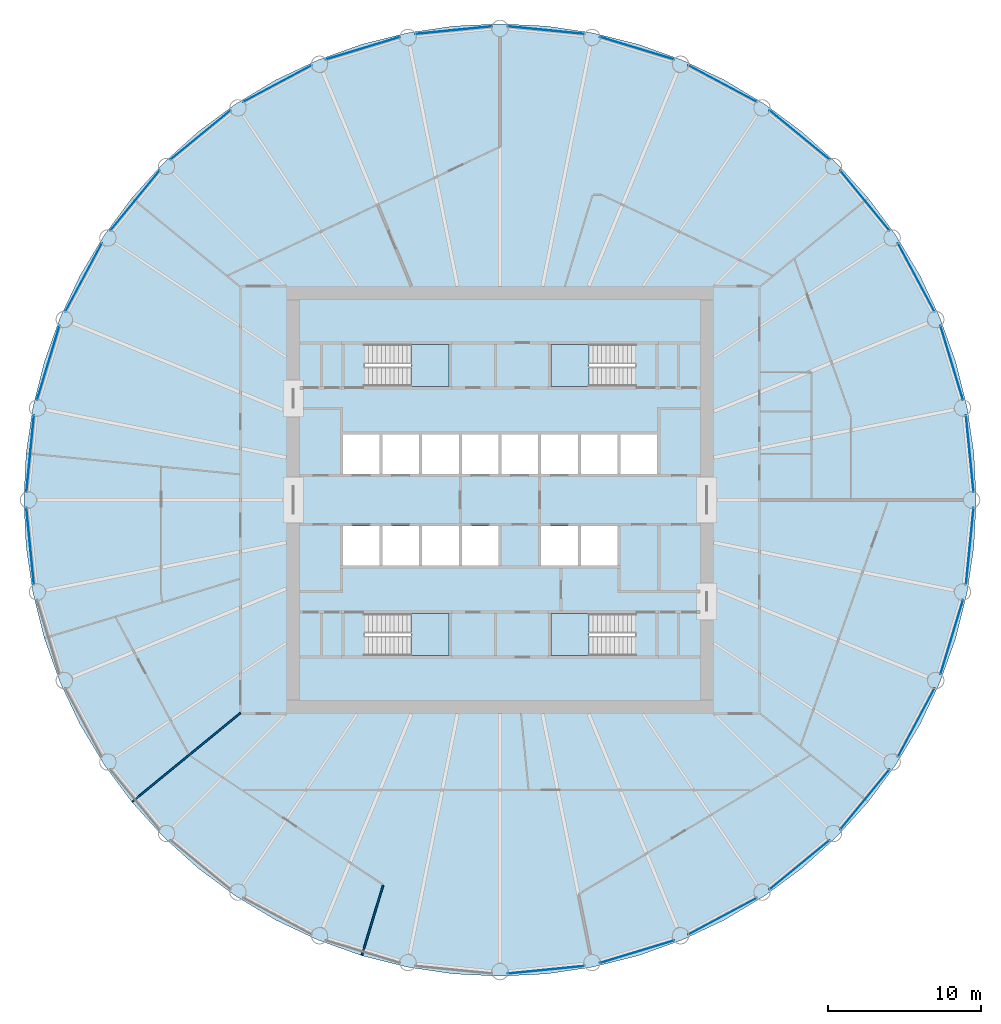
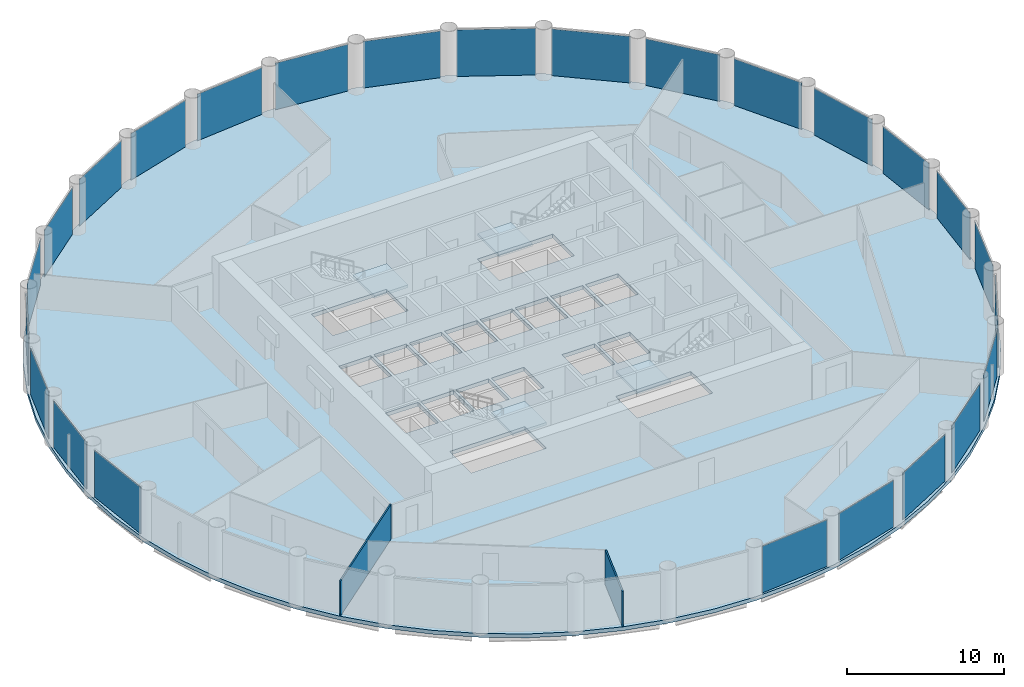
# One storey, part 3 of 8: 25 plates, 5 slabs, 2 walls, 29 elements without a shape of their own.
"""IFC4 building model written with IfcOpenShell, lengths in metres."""

from ifc_helpers import new_model, si_unit, direction, frame, frame_2d, origin, origin_2d, place, context, subcontext, project, spatial, polyline, rectangle, outline, extrude, material, layer, layer_set, type_object, element, aggregate, save


model = new_model("IFC4")

# Units and contexts
model_context = context("Model", 3, precision=1e-05, world=origin(), true_north=direction((0.0, 1.0)))
body_context = subcontext(model_context, "Body", "Model", "MODEL_VIEW")
ifc_project = project(units=[si_unit("LENGTHUNIT", "METRE"), si_unit("AREAUNIT", "SQUARE_METRE"), si_unit("VOLUMEUNIT", "CUBIC_METRE"), si_unit("PLANEANGLEUNIT", "RADIAN"), si_unit("MASSUNIT", "GRAM", prefix="KILO")], contexts=[model_context])

# Site, building, storey
site_placement = place(None, origin())
site = spatial("IfcSite", under=ifc_project, at=site_placement, CompositionType="ELEMENT")
building_placement = place(site_placement, origin())
building = spatial("IfcBuilding", under=site, at=building_placement, Name="Corvane Civic Tower", CompositionType="ELEMENT")
storey_placement = place(building_placement, frame((0.0, 0.0, 152.0)))
storey = spatial("IfcBuildingStorey", under=building, at=storey_placement, Name="L35", CompositionType="ELEMENT", Elevation=152.0)

# Slab
ifc_material_1 = material(Name="Concrete C40/50", Category="concrete")
ifc_layer_1 = layer(ifc_material_1, 0.300048828125)
ifc_layer_set_1 = layer_set([ifc_layer_1], Name="Concrete C40/50")
slab_type_1 = type_object("IfcSlabType", Name="FLOOR SLAB 300", PredefinedType="FLOOR", material=ifc_layer_set_1)
slab_1_placement = place(storey_placement, frame((0.0, 0.0, -0.300048828125)))
element("IfcSlab", 1, at=slab_1_placement, inside=storey, type_object=slab_type_1, Name="SLB-L35", PredefinedType="FLOOR", context=body_context, shape_type="SweptSolid", body=[
    extrude(outline(polyline([(0.0, 31.199951171875), (-3.05810546875, 31.0498046875), (-6.0869140625, 30.6005859375), (-9.056884765625, 29.8564453125), (-11.939697265625, 28.824951171875), (-14.70751953125, 27.515869140625), (-17.333740234375, 25.94189453125), (-19.79296875, 24.117919921875), (-22.061767578125, 22.061767578125), (-24.117919921875, 19.79296875), (-25.94189453125, 17.333740234375), (-27.515869140625, 14.70751953125), (-28.824951171875, 11.939697265625), (-29.8564453125, 9.056884765625), (-30.6005859375, 6.0869140625), (-31.0498046875, 3.05810546875), (-31.199951171875, 0.0), (-31.0498046875, -3.05810546875), (-30.6005859375, -6.0869140625), (-29.8564453125, -9.056884765625), (-28.824951171875, -11.939697265625), (-27.515869140625, -14.70751953125), (-25.94189453125, -17.333740234375), (-24.117919921875, -19.79296875), (-22.061767578125, -22.061767578125), (-19.79296875, -24.117919921875), (-17.333740234375, -25.94189453125), (-14.70751953125, -27.515869140625), (-11.939697265625, -28.824951171875), (-9.056884765625, -29.8564453125), (-6.0869140625, -30.6005859375), (-3.05810546875, -31.0498046875), (0.0, -31.199951171875), (3.05810546875, -31.0498046875), (6.0869140625, -30.6005859375), (9.056884765625, -29.8564453125), (11.939697265625, -28.824951171875), (14.70751953125, -27.515869140625), (17.333740234375, -25.94189453125), (19.79296875, -24.117919921875), (22.061767578125, -22.061767578125), (24.117919921875, -19.79296875), (25.94189453125, -17.333740234375), (27.515869140625, -14.70751953125), (28.824951171875, -11.939697265625), (29.8564453125, -9.056884765625), (30.6005859375, -6.0869140625), (31.0498046875, -3.05810546875), (31.199951171875, 0.0), (31.0498046875, 3.05810546875), (30.6005859375, 6.0869140625), (29.8564453125, 9.056884765625), (28.824951171875, 11.939697265625), (27.515869140625, 14.70751953125), (25.94189453125, 17.333740234375), (24.117919921875, 19.79296875), (22.061767578125, 22.061767578125), (19.79296875, 24.117919921875), (17.333740234375, 25.94189453125), (14.70751953125, 27.515869140625), (11.939697265625, 28.824951171875), (9.056884765625, 29.8564453125), (6.0869140625, 30.6005859375), (3.05810546875, 31.0498046875), (0.0, 31.199951171875)]), holes=[polyline([(-7.89990234375, 1.699951171875), (-10.300048828125, 1.699951171875), (-10.300048828125, 4.300048828125), (-7.89990234375, 4.300048828125), (-7.89990234375, 1.699951171875)]), polyline([(-7.699951171875, 4.300048828125), (-5.300048828125, 4.300048828125), (-5.300048828125, 1.699951171875), (-7.699951171875, 1.699951171875), (-7.699951171875, 4.300048828125)]), polyline([(-5.10009765625, 4.300048828125), (-2.699951171875, 4.300048828125), (-2.699951171875, 1.699951171875), (-5.10009765625, 1.699951171875), (-5.10009765625, 4.300048828125)]), polyline([(-2.5, 4.300048828125), (-0.10009765625, 4.300048828125), (-0.10009765625, 1.699951171875), (-2.5, 1.699951171875), (-2.5, 4.300048828125)]), polyline([(2.5, 1.699951171875), (0.10009765625, 1.699951171875), (0.10009765625, 4.300048828125), (2.5, 4.300048828125), (2.5, 1.699951171875)]), polyline([(5.10009765625, 1.699951171875), (2.699951171875, 1.699951171875), (2.699951171875, 4.300048828125), (5.10009765625, 4.300048828125), (5.10009765625, 1.699951171875)]), polyline([(5.300048828125, 4.300048828125), (7.699951171875, 4.300048828125), (7.699951171875, 1.699951171875), (5.300048828125, 1.699951171875), (5.300048828125, 4.300048828125)]), polyline([(7.89990234375, 4.300048828125), (10.300048828125, 4.300048828125), (10.300048828125, 1.699951171875), (7.89990234375, 1.699951171875), (7.89990234375, 4.300048828125)]), polyline([(-10.300048828125, -1.699951171875), (-7.89990234375, -1.699951171875), (-7.89990234375, -4.300048828125), (-10.300048828125, -4.300048828125), (-10.300048828125, -1.699951171875)]), polyline([(-7.699951171875, -1.699951171875), (-5.300048828125, -1.699951171875), (-5.300048828125, -4.300048828125), (-7.699951171875, -4.300048828125), (-7.699951171875, -1.699951171875)]), polyline([(-5.10009765625, -1.699951171875), (-2.699951171875, -1.699951171875), (-2.699951171875, -4.300048828125), (-5.10009765625, -4.300048828125), (-5.10009765625, -1.699951171875)]), polyline([(-2.5, -1.699951171875), (-0.10009765625, -1.699951171875), (-0.10009765625, -4.300048828125), (-2.5, -4.300048828125), (-2.5, -1.699951171875)]), polyline([(2.699951171875, -1.699951171875), (5.10009765625, -1.699951171875), (5.10009765625, -4.300048828125), (2.699951171875, -4.300048828125), (2.699951171875, -1.699951171875)]), polyline([(5.300048828125, -1.699951171875), (7.699951171875, -1.699951171875), (7.699951171875, -4.300048828125), (5.300048828125, -4.300048828125), (5.300048828125, -1.699951171875)]), polyline([(8.889892578125, 10.199951171875), (8.889892578125, 7.449951171875), (3.35009765625, 7.449951171875), (3.35009765625, 10.199951171875), (8.889892578125, 10.199951171875)]), polyline([(-8.889892578125, 7.449951171875), (-8.889892578125, 10.199951171875), (-3.35009765625, 10.199951171875), (-3.35009765625, 7.449951171875), (-8.889892578125, 7.449951171875)]), polyline([(8.889892578125, -7.449951171875), (8.889892578125, -10.199951171875), (3.35009765625, -10.199951171875), (3.35009765625, -7.449951171875), (8.889892578125, -7.449951171875)]), polyline([(-8.889892578125, -10.199951171875), (-8.889892578125, -7.449951171875), (-3.35009765625, -7.449951171875), (-3.35009765625, -10.199951171875), (-8.889892578125, -10.199951171875)])]), origin(), (0.0, 0.0, 1.0), 0.300048828125),
])

# Stair, slab
ifc_material_2 = material(Name="Concrete C40/50", Category="concrete")
stair_type = type_object("IfcStairType", Name="ST-STAIR-HALFTURN", PredefinedType="HALF_TURN_STAIR", material=ifc_material_2)
stair_1_placement = place(storey_placement, origin())
stair_1 = element("IfcStair", 2, at=stair_1_placement, inside=storey, type_object=stair_type, Name="L35 Exit stair ST1", PredefinedType="HALF_TURN_STAIR")
ifc_material_3 = material(Name="Concrete C40/50", Category="concrete")
ifc_layer_2 = layer(ifc_material_3, 0.199951171875)
ifc_layer_set_2 = layer_set([ifc_layer_2], Name="Concrete C40/50")
slab_type_2 = type_object("IfcSlabType", Name="ST-LANDING-RC", PredefinedType="LANDING", material=ifc_layer_set_2)
slab_2_placement = place(storey_placement, frame((0.0, 0.0, 1.800048828125)))
slab_2 = element("IfcSlab", 3, at=slab_2_placement, type_object=slab_type_2, Name="ST1 landing 1", PredefinedType="LANDING", context=body_context, shape_type="SweptSolid", body=[
    extrude(outline(polyline([(5.820068359375, 10.199951171875), (3.35009765625, 10.199951171875), (3.35009765625, 7.449951171875), (5.820068359375, 7.449951171875), (5.820068359375, 10.199951171875)])), origin(), (0.0, 0.0, 1.0), 0.199951171875),
])
aggregate(stair_1, [slab_2])

stair_2_placement = place(storey_placement, origin())
stair_2 = element("IfcStair", 4, at=stair_2_placement, inside=storey, type_object=stair_type, Name="L35 Exit stair ST2", PredefinedType="HALF_TURN_STAIR")
slab_3_placement = place(storey_placement, frame((0.0, 0.0, 1.800048828125)))
slab_3 = element("IfcSlab", 5, at=slab_3_placement, type_object=slab_type_2, Name="ST2 landing 1", PredefinedType="LANDING", context=body_context, shape_type="SweptSolid", body=[
    extrude(outline(polyline([(5.820068359375, -7.449951171875), (3.35009765625, -7.449951171875), (3.35009765625, -10.199951171875), (5.820068359375, -10.199951171875), (5.820068359375, -7.449951171875)])), origin(), (0.0, 0.0, 1.0), 0.199951171875),
])
aggregate(stair_2, [slab_3])

stair_3_placement = place(storey_placement, origin())
stair_3 = element("IfcStair", 6, at=stair_3_placement, inside=storey, type_object=stair_type, Name="L35 Exit stair ST3", PredefinedType="HALF_TURN_STAIR")
slab_4_placement = place(storey_placement, frame((0.0, 0.0, 1.800048828125)))
slab_4 = element("IfcSlab", 7, at=slab_4_placement, type_object=slab_type_2, Name="ST3 landing 1", PredefinedType="LANDING", context=body_context, shape_type="SweptSolid", body=[
    extrude(outline(polyline([(-5.820068359375, -10.199951171875), (-3.35009765625, -10.199951171875), (-3.35009765625, -7.449951171875), (-5.820068359375, -7.449951171875), (-5.820068359375, -10.199951171875)])), origin(), (0.0, 0.0, 1.0), 0.199951171875),
])
aggregate(stair_3, [slab_4])

stair_4_placement = place(storey_placement, origin())
stair_4 = element("IfcStair", 8, at=stair_4_placement, inside=storey, type_object=stair_type, Name="L35 Exit stair ST4", PredefinedType="HALF_TURN_STAIR")
slab_5_placement = place(storey_placement, frame((0.0, 0.0, 1.800048828125)))
slab_5 = element("IfcSlab", 9, at=slab_5_placement, type_object=slab_type_2, Name="ST4 landing 1", PredefinedType="LANDING", context=body_context, shape_type="SweptSolid", body=[
    extrude(outline(polyline([(-5.820068359375, 7.449951171875), (-3.35009765625, 7.449951171875), (-3.35009765625, 10.199951171875), (-5.820068359375, 10.199951171875), (-5.820068359375, 7.449951171875)])), origin(), (0.0, 0.0, 1.0), 0.199951171875),
])
aggregate(stair_4, [slab_5])

# Curtain wall, plate
ifc_material_4 = material(Name="Anodised aluminium bronze", Category="aluminium")
curtain_wall_type = type_object("IfcCurtainWallType", Name="TOWER CW-T2 STICK CURTAIN WALL", PredefinedType="NOTDEFINED", material=ifc_material_4)
curtain_wall_1_placement = place(storey_placement, origin())
curtain_wall_1 = element("IfcCurtainWall", 10, at=curtain_wall_1_placement, inside=storey, type_object=curtain_wall_type, Name="Curtain wall CW-T2 L35 bay 01", PredefinedType="NOTDEFINED")
ifc_material_5 = material(Name="Tinted glass", Category="glass")
ifc_layer_3 = layer(ifc_material_5, 0.031982421875)
ifc_layer_set_3 = layer_set([ifc_layer_3], Name="Tinted glass")
plate_type = type_object("IfcPlateType", Name="TOWER CW-T2 PANEL IGU32", PredefinedType="CURTAIN_PANEL", material=ifc_layer_set_3)
plate_1_placement = place(storey_placement, frame((3.03173828125, 30.781494140625, 0.0), z_axis=(0.0, 0.0, 1.0), x_axis=(0.995185244531, -0.098011882274, 0.0)))
plate_1 = element("IfcPlate", 11, at=plate_1_placement, type_object=plate_type, Name="Glass panel CW-T2 L35 01.1", PredefinedType="CURTAIN_PANEL", context=body_context, shape_type="SweptSolid", body=[
    extrude(rectangle(XDim=5.07763671875, YDim=0.031982421875, at=origin_2d()), origin(), (0.0, 0.0, 1.0), 3.6298828125),
])
aggregate(curtain_wall_1, [plate_1])

curtain_wall_2_placement = place(storey_placement, origin())
curtain_wall_2 = element("IfcCurtainWall", 12, at=curtain_wall_2_placement, inside=storey, type_object=curtain_wall_type, Name="Curtain wall CW-T2 L35 bay 02", PredefinedType="NOTDEFINED")
plate_2_placement = place(storey_placement, frame((8.978515625, 29.5986328125, 0.0), z_axis=(0.0, 0.0, 1.0), x_axis=(0.956931677007, -0.290313219714, 0.0)))
plate_2 = element("IfcPlate", 13, at=plate_2_placement, type_object=plate_type, Name="Glass panel CW-T2 L35 02.1", PredefinedType="CURTAIN_PANEL", context=body_context, shape_type="SweptSolid", body=[
    extrude(rectangle(XDim=5.077392578125, YDim=0.031982421875, at=origin_2d()), origin(), (0.0, 0.0, 1.0), 3.6298828125),
])
aggregate(curtain_wall_2, [plate_2])

curtain_wall_3_placement = place(storey_placement, origin())
curtain_wall_3 = element("IfcCurtainWall", 14, at=curtain_wall_3_placement, inside=storey, type_object=curtain_wall_type, Name="Curtain wall CW-T2 L35 bay 03", PredefinedType="NOTDEFINED")
plate_3_placement = place(storey_placement, frame((14.58056640625, 27.278076171875, 0.0), z_axis=(0.0, 0.0, 1.0), x_axis=(0.881922190434, -0.471395004238, 0.0)))
plate_3 = element("IfcPlate", 15, at=plate_3_placement, type_object=plate_type, Name="Glass panel CW-T2 L35 03.1", PredefinedType="CURTAIN_PANEL", context=body_context, shape_type="SweptSolid", body=[
    extrude(rectangle(XDim=5.077392578125, YDim=0.031982421875, at=origin_2d()), origin(), (0.0, 0.0, 1.0), 3.6298828125),
])
aggregate(curtain_wall_3, [plate_3])

curtain_wall_4_placement = place(storey_placement, origin())
curtain_wall_4 = element("IfcCurtainWall", 16, at=curtain_wall_4_placement, inside=storey, type_object=curtain_wall_type, Name="Curtain wall CW-T2 L35 bay 04", PredefinedType="NOTDEFINED")
plate_4_placement = place(storey_placement, frame((19.6220703125, 23.909423828125, 0.0), z_axis=(0.0, 0.0, 1.0), x_axis=(0.773004844196, -0.634400118891, 0.0)))
plate_4 = element("IfcPlate", 17, at=plate_4_placement, type_object=plate_type, Name="Glass panel CW-T2 L35 04.1", PredefinedType="CURTAIN_PANEL", context=body_context, shape_type="SweptSolid", body=[
    extrude(rectangle(XDim=5.0771484375, YDim=0.031982421875, at=origin_2d()), origin(), (0.0, 0.0, 1.0), 3.6298828125),
])
aggregate(curtain_wall_4, [plate_4])

curtain_wall_5_placement = place(storey_placement, origin())
curtain_wall_5 = element("IfcCurtainWall", 18, at=curtain_wall_5_placement, inside=storey, type_object=curtain_wall_type, Name="Curtain wall CW-T2 L35 bay 05", PredefinedType="NOTDEFINED")
plate_5_placement = place(storey_placement, frame((23.909423828125, 19.6220703125, 0.0), z_axis=(0.0, 0.0, 1.0), x_axis=(0.634400118891, -0.773004844196, 0.0)))
plate_5 = element("IfcPlate", 19, at=plate_5_placement, type_object=plate_type, Name="Glass panel CW-T2 L35 05.1", PredefinedType="CURTAIN_PANEL", context=body_context, shape_type="SweptSolid", body=[
    extrude(rectangle(XDim=5.0771484375, YDim=0.031982421875, at=origin_2d()), origin(), (0.0, 0.0, 1.0), 3.6298828125),
])
aggregate(curtain_wall_5, [plate_5])

curtain_wall_6_placement = place(storey_placement, origin())
curtain_wall_6 = element("IfcCurtainWall", 20, at=curtain_wall_6_placement, inside=storey, type_object=curtain_wall_type, Name="Curtain wall CW-T2 L35 bay 06", PredefinedType="NOTDEFINED")
plate_6_placement = place(storey_placement, frame((27.278076171875, 14.58056640625, 0.0), z_axis=(0.0, 0.0, 1.0), x_axis=(0.471395004238, -0.881922190434, 0.0)))
plate_6 = element("IfcPlate", 21, at=plate_6_placement, type_object=plate_type, Name="Glass panel CW-T2 L35 06.1", PredefinedType="CURTAIN_PANEL", context=body_context, shape_type="SweptSolid", body=[
    extrude(rectangle(XDim=5.077392578125, YDim=0.031982421875, at=origin_2d()), origin(), (0.0, 0.0, 1.0), 3.6298828125),
])
aggregate(curtain_wall_6, [plate_6])

curtain_wall_7_placement = place(storey_placement, origin())
curtain_wall_7 = element("IfcCurtainWall", 22, at=curtain_wall_7_placement, inside=storey, type_object=curtain_wall_type, Name="Curtain wall CW-T2 L35 bay 07", PredefinedType="NOTDEFINED")
plate_7_placement = place(storey_placement, frame((29.5986328125, 8.978515625, 0.0), z_axis=(0.0, 0.0, 1.0), x_axis=(0.290313219714, -0.956931677007, 0.0)))
plate_7 = element("IfcPlate", 23, at=plate_7_placement, type_object=plate_type, Name="Glass panel CW-T2 L35 07.1", PredefinedType="CURTAIN_PANEL", context=body_context, shape_type="SweptSolid", body=[
    extrude(rectangle(XDim=5.077392578125, YDim=0.031982421875, at=origin_2d()), origin(), (0.0, 0.0, 1.0), 3.6298828125),
])
aggregate(curtain_wall_7, [plate_7])

curtain_wall_8_placement = place(storey_placement, origin())
curtain_wall_8 = element("IfcCurtainWall", 24, at=curtain_wall_8_placement, inside=storey, type_object=curtain_wall_type, Name="Curtain wall CW-T2 L35 bay 08", PredefinedType="NOTDEFINED")
plate_8_placement = place(storey_placement, frame((30.781494140625, 3.03173828125, 0.0), z_axis=(0.0, 0.0, 1.0), x_axis=(0.098011882274, -0.995185244531, 0.0)))
plate_8 = element("IfcPlate", 25, at=plate_8_placement, type_object=plate_type, Name="Glass panel CW-T2 L35 08.1", PredefinedType="CURTAIN_PANEL", context=body_context, shape_type="SweptSolid", body=[
    extrude(rectangle(XDim=5.07763671875, YDim=0.031982421875, at=origin_2d()), origin(), (0.0, 0.0, 1.0), 3.6298828125),
])
aggregate(curtain_wall_8, [plate_8])

curtain_wall_9_placement = place(storey_placement, origin())
curtain_wall_9 = element("IfcCurtainWall", 26, at=curtain_wall_9_placement, inside=storey, type_object=curtain_wall_type, Name="Curtain wall CW-T2 L35 bay 09", PredefinedType="NOTDEFINED")
plate_9_placement = place(storey_placement, frame((30.781494140625, -3.03173828125, 0.0), z_axis=(0.0, 0.0, 1.0), x_axis=(-0.098011882274, -0.995185244531, 0.0)))
plate_9 = element("IfcPlate", 27, at=plate_9_placement, type_object=plate_type, Name="Glass panel CW-T2 L35 09.1", PredefinedType="CURTAIN_PANEL", context=body_context, shape_type="SweptSolid", body=[
    extrude(rectangle(XDim=5.07763671875, YDim=0.031982421875, at=origin_2d()), origin(), (0.0, 0.0, 1.0), 3.6298828125),
])
aggregate(curtain_wall_9, [plate_9])

curtain_wall_10_placement = place(storey_placement, origin())
curtain_wall_10 = element("IfcCurtainWall", 28, at=curtain_wall_10_placement, inside=storey, type_object=curtain_wall_type, Name="Curtain wall CW-T2 L35 bay 10", PredefinedType="NOTDEFINED")
plate_10_placement = place(storey_placement, frame((29.5986328125, -8.978515625, 0.0), z_axis=(0.0, 0.0, 1.0), x_axis=(-0.290313219714, -0.956931677007, 0.0)))
plate_10 = element("IfcPlate", 29, at=plate_10_placement, type_object=plate_type, Name="Glass panel CW-T2 L35 10.1", PredefinedType="CURTAIN_PANEL", context=body_context, shape_type="SweptSolid", body=[
    extrude(rectangle(XDim=5.077392578125, YDim=0.031982421875, at=origin_2d()), origin(), (0.0, 0.0, 1.0), 3.6298828125),
])
aggregate(curtain_wall_10, [plate_10])

curtain_wall_11_placement = place(storey_placement, origin())
curtain_wall_11 = element("IfcCurtainWall", 30, at=curtain_wall_11_placement, inside=storey, type_object=curtain_wall_type, Name="Curtain wall CW-T2 L35 bay 11", PredefinedType="NOTDEFINED")
plate_11_placement = place(storey_placement, frame((27.278076171875, -14.58056640625, 0.0), z_axis=(0.0, 0.0, 1.0), x_axis=(-0.471395004238, -0.881922190434, 0.0)))
plate_11 = element("IfcPlate", 31, at=plate_11_placement, type_object=plate_type, Name="Glass panel CW-T2 L35 11.1", PredefinedType="CURTAIN_PANEL", context=body_context, shape_type="SweptSolid", body=[
    extrude(rectangle(XDim=5.077392578125, YDim=0.031982421875, at=origin_2d()), origin(), (0.0, 0.0, 1.0), 3.6298828125),
])
aggregate(curtain_wall_11, [plate_11])

curtain_wall_12_placement = place(storey_placement, origin())
curtain_wall_12 = element("IfcCurtainWall", 32, at=curtain_wall_12_placement, inside=storey, type_object=curtain_wall_type, Name="Curtain wall CW-T2 L35 bay 12", PredefinedType="NOTDEFINED")
plate_12_placement = place(storey_placement, frame((23.909423828125, -19.6220703125, 0.0), z_axis=(0.0, 0.0, 1.0), x_axis=(-0.634400118891, -0.773004844196, 0.0)))
plate_12 = element("IfcPlate", 33, at=plate_12_placement, type_object=plate_type, Name="Glass panel CW-T2 L35 12.1", PredefinedType="CURTAIN_PANEL", context=body_context, shape_type="SweptSolid", body=[
    extrude(rectangle(XDim=5.0771484375, YDim=0.031982421875, at=origin_2d()), origin(), (0.0, 0.0, 1.0), 3.6298828125),
])
aggregate(curtain_wall_12, [plate_12])

curtain_wall_13_placement = place(storey_placement, origin())
curtain_wall_13 = element("IfcCurtainWall", 34, at=curtain_wall_13_placement, inside=storey, type_object=curtain_wall_type, Name="Curtain wall CW-T2 L35 bay 13", PredefinedType="NOTDEFINED")
plate_13_placement = place(storey_placement, frame((19.6220703125, -23.909423828125, 0.0), z_axis=(0.0, 0.0, 1.0), x_axis=(-0.773004844196, -0.634400118891, 0.0)))
plate_13 = element("IfcPlate", 35, at=plate_13_placement, type_object=plate_type, Name="Glass panel CW-T2 L35 13.1", PredefinedType="CURTAIN_PANEL", context=body_context, shape_type="SweptSolid", body=[
    extrude(rectangle(XDim=5.0771484375, YDim=0.031982421875, at=origin_2d()), origin(), (0.0, 0.0, 1.0), 3.6298828125),
])
aggregate(curtain_wall_13, [plate_13])

curtain_wall_14_placement = place(storey_placement, origin())
curtain_wall_14 = element("IfcCurtainWall", 36, at=curtain_wall_14_placement, inside=storey, type_object=curtain_wall_type, Name="Curtain wall CW-T2 L35 bay 14", PredefinedType="NOTDEFINED")
plate_14_placement = place(storey_placement, frame((14.58056640625, -27.278076171875, 0.0), z_axis=(0.0, 0.0, 1.0), x_axis=(-0.881922190434, -0.471395004238, 0.0)))
plate_14 = element("IfcPlate", 37, at=plate_14_placement, type_object=plate_type, Name="Glass panel CW-T2 L35 14.1", PredefinedType="CURTAIN_PANEL", context=body_context, shape_type="SweptSolid", body=[
    extrude(rectangle(XDim=5.077392578125, YDim=0.031982421875, at=origin_2d()), origin(), (0.0, 0.0, 1.0), 3.6298828125),
])
aggregate(curtain_wall_14, [plate_14])

curtain_wall_15_placement = place(storey_placement, origin())
curtain_wall_15 = element("IfcCurtainWall", 38, at=curtain_wall_15_placement, inside=storey, type_object=curtain_wall_type, Name="Curtain wall CW-T2 L35 bay 15", PredefinedType="NOTDEFINED")
plate_15_placement = place(storey_placement, frame((8.978515625, -29.5986328125, 0.0), z_axis=(0.0, 0.0, 1.0), x_axis=(-0.956931677007, -0.290313219714, 0.0)))
plate_15 = element("IfcPlate", 39, at=plate_15_placement, type_object=plate_type, Name="Glass panel CW-T2 L35 15.1", PredefinedType="CURTAIN_PANEL", context=body_context, shape_type="SweptSolid", body=[
    extrude(rectangle(XDim=5.077392578125, YDim=0.031982421875, at=origin_2d()), origin(), (0.0, 0.0, 1.0), 3.6298828125),
])
aggregate(curtain_wall_15, [plate_15])

curtain_wall_16_placement = place(storey_placement, origin())
curtain_wall_16 = element("IfcCurtainWall", 40, at=curtain_wall_16_placement, inside=storey, type_object=curtain_wall_type, Name="Curtain wall CW-T2 L35 bay 16", PredefinedType="NOTDEFINED")
plate_16_placement = place(storey_placement, frame((3.03173828125, -30.781494140625, 0.0), z_axis=(0.0, 0.0, 1.0), x_axis=(-0.995185244531, -0.098011882274, 0.0)))
plate_16 = element("IfcPlate", 41, at=plate_16_placement, type_object=plate_type, Name="Glass panel CW-T2 L35 16.1", PredefinedType="CURTAIN_PANEL", context=body_context, shape_type="SweptSolid", body=[
    extrude(rectangle(XDim=5.07763671875, YDim=0.031982421875, at=origin_2d()), origin(), (0.0, 0.0, 1.0), 3.6298828125),
])
aggregate(curtain_wall_16, [plate_16])

curtain_wall_17_placement = place(storey_placement, origin())
curtain_wall_17 = element("IfcCurtainWall", 42, at=curtain_wall_17_placement, inside=storey, type_object=curtain_wall_type, Name="Curtain wall CW-T2 L35 bay 24", PredefinedType="NOTDEFINED")
plate_17_placement = place(storey_placement, frame((-30.781494140625, -3.03173828125, 0.0), z_axis=(0.0, 0.0, 1.0), x_axis=(-0.098011882274, 0.995185244531, 0.0)))
plate_17 = element("IfcPlate", 43, at=plate_17_placement, type_object=plate_type, Name="Glass panel CW-T2 L35 24.1", PredefinedType="CURTAIN_PANEL", context=body_context, shape_type="SweptSolid", body=[
    extrude(rectangle(XDim=5.07763671875, YDim=0.031982421875, at=origin_2d()), origin(), (0.0, 0.0, 1.0), 3.6298828125),
])
aggregate(curtain_wall_17, [plate_17])

curtain_wall_18_placement = place(storey_placement, origin())
curtain_wall_18 = element("IfcCurtainWall", 44, at=curtain_wall_18_placement, inside=storey, type_object=curtain_wall_type, Name="Curtain wall CW-T2 L35 bay 25", PredefinedType="NOTDEFINED")
plate_18_placement = place(storey_placement, frame((-30.781494140625, 3.03173828125, 0.0), z_axis=(0.0, 0.0, 1.0), x_axis=(0.098011882274, 0.995185244531, 0.0)))
plate_18 = element("IfcPlate", 45, at=plate_18_placement, type_object=plate_type, Name="Glass panel CW-T2 L35 25.1", PredefinedType="CURTAIN_PANEL", context=body_context, shape_type="SweptSolid", body=[
    extrude(rectangle(XDim=5.07763671875, YDim=0.031982421875, at=origin_2d()), origin(), (0.0, 0.0, 1.0), 3.6298828125),
])
aggregate(curtain_wall_18, [plate_18])

curtain_wall_19_placement = place(storey_placement, origin())
curtain_wall_19 = element("IfcCurtainWall", 46, at=curtain_wall_19_placement, inside=storey, type_object=curtain_wall_type, Name="Curtain wall CW-T2 L35 bay 26", PredefinedType="NOTDEFINED")
plate_19_placement = place(storey_placement, frame((-29.5986328125, 8.978515625, 0.0), z_axis=(0.0, 0.0, 1.0), x_axis=(0.290313219714, 0.956931677007, 0.0)))
plate_19 = element("IfcPlate", 47, at=plate_19_placement, type_object=plate_type, Name="Glass panel CW-T2 L35 26.1", PredefinedType="CURTAIN_PANEL", context=body_context, shape_type="SweptSolid", body=[
    extrude(rectangle(XDim=5.077392578125, YDim=0.031982421875, at=origin_2d()), origin(), (0.0, 0.0, 1.0), 3.6298828125),
])
aggregate(curtain_wall_19, [plate_19])

curtain_wall_20_placement = place(storey_placement, origin())
curtain_wall_20 = element("IfcCurtainWall", 48, at=curtain_wall_20_placement, inside=storey, type_object=curtain_wall_type, Name="Curtain wall CW-T2 L35 bay 27", PredefinedType="NOTDEFINED")
plate_20_placement = place(storey_placement, frame((-27.278076171875, 14.58056640625, 0.0), z_axis=(0.0, 0.0, 1.0), x_axis=(0.471395004238, 0.881922190434, 0.0)))
plate_20 = element("IfcPlate", 49, at=plate_20_placement, type_object=plate_type, Name="Glass panel CW-T2 L35 27.1", PredefinedType="CURTAIN_PANEL", context=body_context, shape_type="SweptSolid", body=[
    extrude(rectangle(XDim=5.077392578125, YDim=0.031982421875, at=origin_2d()), origin(), (0.0, 0.0, 1.0), 3.6298828125),
])
aggregate(curtain_wall_20, [plate_20])

curtain_wall_21_placement = place(storey_placement, origin())
curtain_wall_21 = element("IfcCurtainWall", 50, at=curtain_wall_21_placement, inside=storey, type_object=curtain_wall_type, Name="Curtain wall CW-T2 L35 bay 28", PredefinedType="NOTDEFINED")
plate_21_placement = place(storey_placement, frame((-23.909423828125, 19.6220703125, 0.0), z_axis=(0.0, 0.0, 1.0), x_axis=(0.634400118891, 0.773004844196, 0.0)))
plate_21 = element("IfcPlate", 51, at=plate_21_placement, type_object=plate_type, Name="Glass panel CW-T2 L35 28.1", PredefinedType="CURTAIN_PANEL", context=body_context, shape_type="SweptSolid", body=[
    extrude(rectangle(XDim=5.0771484375, YDim=0.031982421875, at=origin_2d()), origin(), (0.0, 0.0, 1.0), 3.6298828125),
])
aggregate(curtain_wall_21, [plate_21])

curtain_wall_22_placement = place(storey_placement, origin())
curtain_wall_22 = element("IfcCurtainWall", 52, at=curtain_wall_22_placement, inside=storey, type_object=curtain_wall_type, Name="Curtain wall CW-T2 L35 bay 29", PredefinedType="NOTDEFINED")
plate_22_placement = place(storey_placement, frame((-19.6220703125, 23.909423828125, 0.0), z_axis=(0.0, 0.0, 1.0), x_axis=(0.773004844196, 0.634400118891, 0.0)))
plate_22 = element("IfcPlate", 53, at=plate_22_placement, type_object=plate_type, Name="Glass panel CW-T2 L35 29.1", PredefinedType="CURTAIN_PANEL", context=body_context, shape_type="SweptSolid", body=[
    extrude(rectangle(XDim=5.0771484375, YDim=0.031982421875, at=origin_2d()), origin(), (0.0, 0.0, 1.0), 3.6298828125),
])
aggregate(curtain_wall_22, [plate_22])

curtain_wall_23_placement = place(storey_placement, origin())
curtain_wall_23 = element("IfcCurtainWall", 54, at=curtain_wall_23_placement, inside=storey, type_object=curtain_wall_type, Name="Curtain wall CW-T2 L35 bay 30", PredefinedType="NOTDEFINED")
plate_23_placement = place(storey_placement, frame((-14.58056640625, 27.278076171875, 0.0), z_axis=(0.0, 0.0, 1.0), x_axis=(0.881922190434, 0.471395004238, 0.0)))
plate_23 = element("IfcPlate", 55, at=plate_23_placement, type_object=plate_type, Name="Glass panel CW-T2 L35 30.1", PredefinedType="CURTAIN_PANEL", context=body_context, shape_type="SweptSolid", body=[
    extrude(rectangle(XDim=5.077392578125, YDim=0.031982421875, at=origin_2d()), origin(), (0.0, 0.0, 1.0), 3.6298828125),
])
aggregate(curtain_wall_23, [plate_23])

curtain_wall_24_placement = place(storey_placement, origin())
curtain_wall_24 = element("IfcCurtainWall", 56, at=curtain_wall_24_placement, inside=storey, type_object=curtain_wall_type, Name="Curtain wall CW-T2 L35 bay 31", PredefinedType="NOTDEFINED")
plate_24_placement = place(storey_placement, frame((-8.978515625, 29.5986328125, 0.0), z_axis=(0.0, 0.0, 1.0), x_axis=(0.956931677007, 0.290313219714, 0.0)))
plate_24 = element("IfcPlate", 57, at=plate_24_placement, type_object=plate_type, Name="Glass panel CW-T2 L35 31.1", PredefinedType="CURTAIN_PANEL", context=body_context, shape_type="SweptSolid", body=[
    extrude(rectangle(XDim=5.077392578125, YDim=0.031982421875, at=origin_2d()), origin(), (0.0, 0.0, 1.0), 3.6298828125),
])
aggregate(curtain_wall_24, [plate_24])

curtain_wall_25_placement = place(storey_placement, origin())
curtain_wall_25 = element("IfcCurtainWall", 58, at=curtain_wall_25_placement, inside=storey, type_object=curtain_wall_type, Name="Curtain wall CW-T2 L35 bay 32", PredefinedType="NOTDEFINED")
plate_25_placement = place(storey_placement, frame((-3.03173828125, 30.781494140625, 0.0), z_axis=(0.0, 0.0, 1.0), x_axis=(0.995185244531, 0.098011882274, 0.0)))
plate_25 = element("IfcPlate", 59, at=plate_25_placement, type_object=plate_type, Name="Glass panel CW-T2 L35 32.1", PredefinedType="CURTAIN_PANEL", context=body_context, shape_type="SweptSolid", body=[
    extrude(rectangle(XDim=5.07763671875, YDim=0.031982421875, at=origin_2d()), origin(), (0.0, 0.0, 1.0), 3.6298828125),
])
aggregate(curtain_wall_25, [plate_25])

# Walls
ifc_material_6 = material(Name="Plasterboard")
ifc_layer_4 = layer(ifc_material_6, 0.10009765625)
ifc_layer_set_4 = layer_set([ifc_layer_4], Name="Plasterboard")
wall_type = type_object("IfcWallType", Name="Partition 100 plasterboard on studs", PredefinedType="PARTITIONING", material=ifc_layer_set_4)
wall_1_placement = place(storey_placement, frame((-9.04248046875, -29.808837890625, 0.0), z_axis=(0.0, 0.0, 1.0), x_axis=(0.290291575547, 0.956938243131, 0.0)))
element("IfcWall", 60, at=wall_1_placement, inside=storey, type_object=wall_type, Name="Partition L35.001", PredefinedType="PARTITIONING", context=body_context, shape_type="SweptSolid", body=[
    extrude(rectangle(XDim=4.7685546875, YDim=0.10009765625, at=frame_2d((2.38427734375, 0.0))), origin(), (0.0, 0.0, 1.0), 2.699951171875),
])
wall_2_placement = place(storey_placement, frame((-24.079345703125, -19.761474609375, 0.0), z_axis=(0.0, 0.0, 1.0), x_axis=(0.773006154143, 0.634398522742, 0.0)))
element("IfcWall", 61, at=wall_2_placement, inside=storey, type_object=wall_type, Name="Partition L35.005", PredefinedType="PARTITIONING", context=body_context, shape_type="SweptSolid", body=[
    extrude(rectangle(XDim=9.134521484375, YDim=0.10009765625, at=frame_2d((4.5673828125, 0.0))), origin(), (0.0, 0.0, 1.0), 2.699951171875),
])

save(model, "model.ifc")
